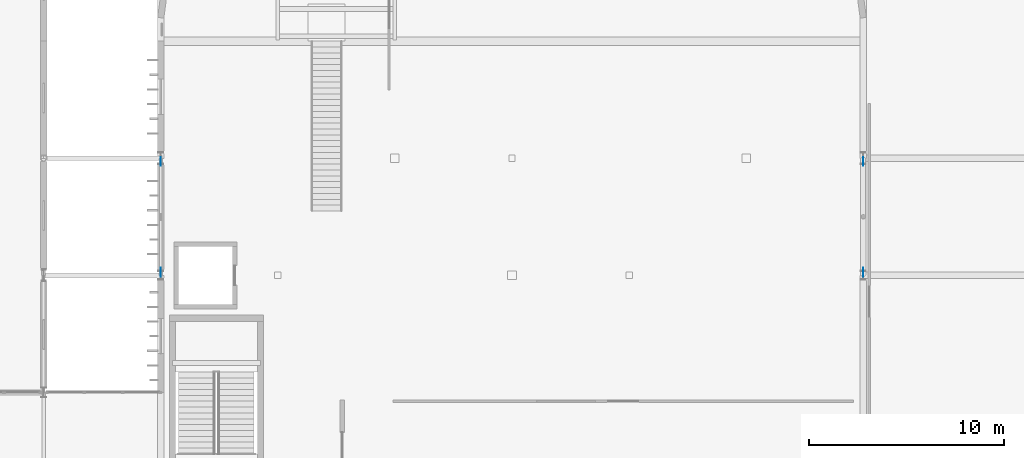
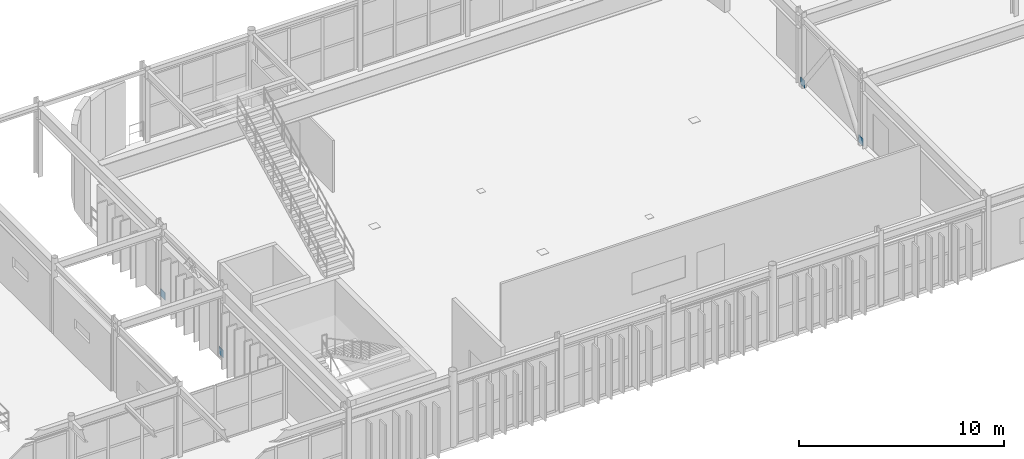
# One storey, part 70 of 84: 4 discrete accessories.
"""IFC4 building model written with IfcOpenShell, lengths in metres."""

from ifc_helpers import new_model, si_unit, direction, frame, origin, origin_2d, place, context, subcontext, project, spatial, rectangle, extrude, material, layer, layer_set, type_object, element, save


model = new_model("IFC4")

# Units and contexts
model_context = context("Model", 3, precision=1e-05, world=origin(), true_north=direction((0.0, 1.0)))
body_context = subcontext(model_context, "Body", "Model", "MODEL_VIEW")
ifc_project = project(units=[si_unit("LENGTHUNIT", "METRE"), si_unit("AREAUNIT", "SQUARE_METRE"), si_unit("VOLUMEUNIT", "CUBIC_METRE"), si_unit("PLANEANGLEUNIT", "RADIAN"), si_unit("MASSUNIT", "GRAM", prefix="KILO")], contexts=[model_context])

# Site, building, storey
site_placement = place(None, origin())
site = spatial("IfcSite", under=ifc_project, at=site_placement, CompositionType="ELEMENT")
building_placement = place(site_placement, origin())
building = spatial("IfcBuilding", under=site, at=building_placement, Name="Varnakota Square Police Headquarters", CompositionType="ELEMENT")
storey_placement = place(building_placement, frame((0.0, 0.0, 13.5)))
storey = spatial("IfcBuildingStorey", under=building, at=storey_placement, Name="L03", CompositionType="ELEMENT", Elevation=13.5)

# Discrete accessories
ifc_material = material(Name="Steel IS 2062 Grade 350", Category="steel")
ifc_layer = layer(ifc_material, 0.64990234375, Name="Steel IS 2062 Grade 350")
ifc_layer_set = layer_set([ifc_layer], Name="Steel IS 2062 Grade 350")
discrete_accessory_type = type_object("IfcDiscreteAccessoryType", Name="ACC-EMB-350", PredefinedType="BRACKET", material=ifc_layer_set)
for number, where, z_axis, x_axis, name in (
    (1, (60.0, 81.159912109375, 0.02490234375), (0.0, 0.0, 1.0), (0.0, 1.0, 0.0), "Brace gusset connection plate BF5 L03 L"),
    (2, (60.0, 86.840087890625, 0.02490234375), (0.0, 0.0, 1.0), (0.0, 1.0, 0.0), "Brace gusset connection plate BF5 L03 R"),
    (3, (96.0, 81.159912109375, 0.02490234375), (0.0, 0.0, 1.0), (0.0, 1.0, 0.0), "Brace gusset connection plate BF6 L03 L"),
    (4, (96.0, 86.840087890625, 0.02490234375), (0.0, 0.0, 1.0), (0.0, 1.0, 0.0), "Brace gusset connection plate BF6 L03 R"),
):
    element("IfcDiscreteAccessory", number, at=place(storey_placement, frame(where, z_axis=z_axis, x_axis=x_axis)), inside=storey, type_object=discrete_accessory_type, Name=name, PredefinedType="BRACKET", context=body_context, shape_type="SweptSolid", body=[
        extrude(rectangle(XDim=0.43994140625, YDim=0.02001953125, at=origin_2d()), origin(), (0.0, 0.0, 1.0), 0.449951171875),
    ])

save(model, "model.ifc")
